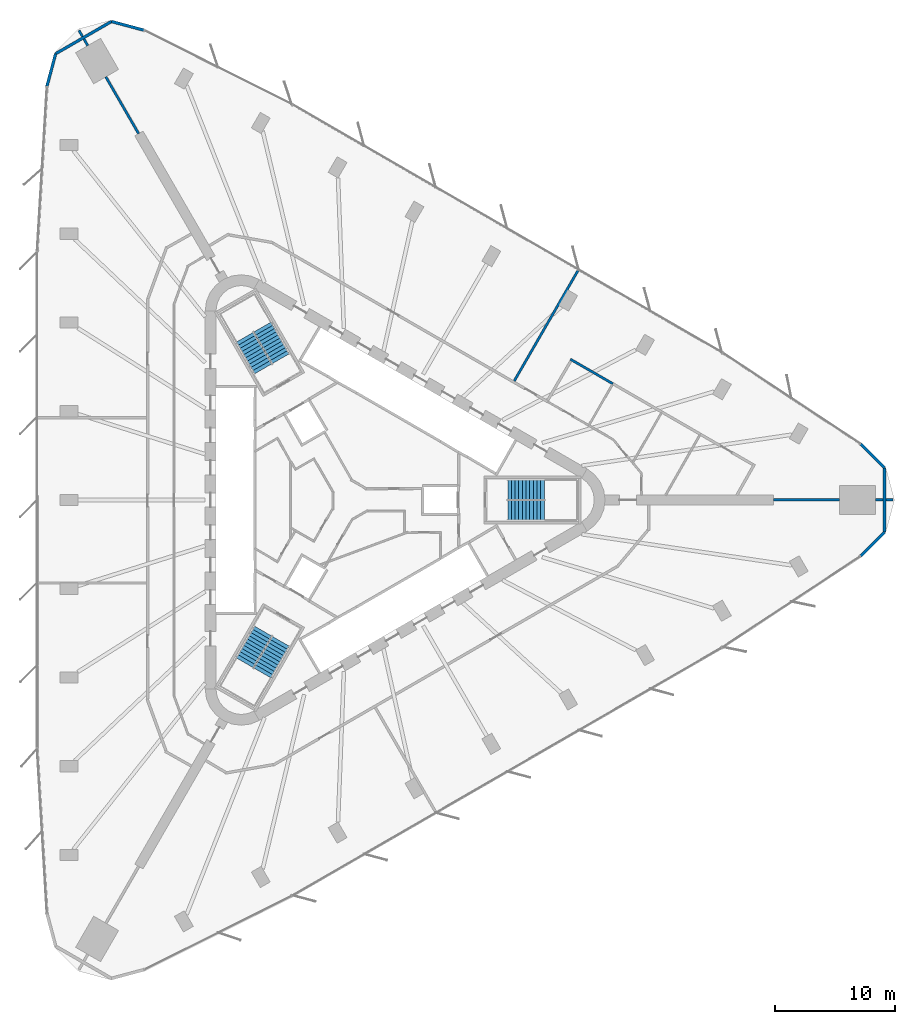
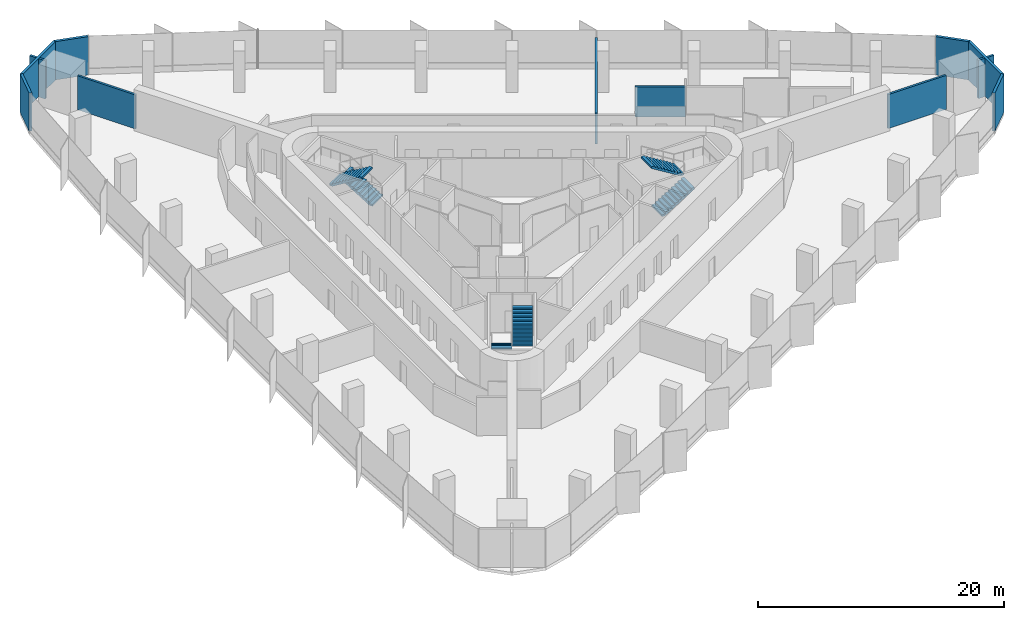
# One storey, part 13 of 14: 14 walls, 6 stair flights, 3 elements without a shape of their own.
"""IFC4 building model written with IfcOpenShell, lengths in metres."""

import ifcopenshell
import ifcopenshell.guid

model = None  # the IFC model being written
_history = None  # IfcOwnerHistory: only IFC2X3 demands one
_inside = {}  # id of a spatial element -> (the spatial element, [elements in it])
_under = {}  # id of a project, library or spatial element -> (it, [spatial elements below it])
_declared = {}  # id of a project -> (the project, [libraries it declares])
_typed = {}  # id of a type object -> (the type object, [elements of that type])
_made_of = {}  # id of a material, layer set ... -> (it, [elements and type objects made of it])


def new_model(schema):
    """Start an empty IFC model of exactly this schema.

    Asked for "IFC4X3", IfcOpenShell would pick the latest addendum, in which some entities
    have other attributes; the version numbers below select the first issue.
    IFC2X3 requires an IfcOwnerHistory on every rooted entity: one is made here for all.
    """
    global model, _history
    if schema == "IFC4X3":
        model = ifcopenshell.file(schema_version=(4, 3, 0, 0))
    else:
        model = ifcopenshell.file(schema=schema)
    _inside.clear()
    _under.clear()
    _declared.clear()
    _typed.clear()
    _made_of.clear()
    _history = None
    if model.schema == "IFC2X3":
        org = make("IfcOrganization", Name="unknown")
        user = make(
            "IfcPersonAndOrganization",
            ThePerson=make("IfcPerson", FamilyName="unknown"),
            TheOrganization=org,
        )
        app = make(
            "IfcApplication",
            ApplicationDeveloper=org,
            Version="unknown",
            ApplicationFullName="unknown",
            ApplicationIdentifier="unknown",
        )
        _history = make(
            "IfcOwnerHistory",
            OwningUser=user,
            OwningApplication=app,
            ChangeAction="ADDED",
            CreationDate=0,
        )
    return model


def make(cls, **values):
    """One entity of the class cls with the attributes given. An attribute that is None is left unset."""
    return model.create_entity(
        cls, **{name: value for name, value in values.items() if value is not None}
    )


def rooted(cls, **values):
    """An entity with a GlobalId (a new one), such as an element, a storey or a relation."""
    return make(cls, GlobalId=ifcopenshell.guid.new(), OwnerHistory=_history, **values)


def si_unit(unit_type, name, prefix=None):
    """IfcSIUnit, for example si_unit("LENGTHUNIT", "METRE", prefix="MILLI")."""
    return make("IfcSIUnit", UnitType=unit_type, Prefix=prefix, Name=name)


def assignment(units):
    """IfcUnitAssignment: the units of a project."""
    return None if units is None else make("IfcUnitAssignment", Units=units)


def point(xyz):
    """IfcCartesianPoint."""
    return None if xyz is None else make("IfcCartesianPoint", Coordinates=xyz)


def direction(xyz):
    """IfcDirection."""
    return None if xyz is None else make("IfcDirection", DirectionRatios=xyz)


def frame(location, z_axis=None, x_axis=None):
    """IfcAxis2Placement3D, a coordinate frame: its origin and axes. An axis left out is left unset."""
    return make(
        "IfcAxis2Placement3D",
        Location=point(location),
        Axis=direction(z_axis),
        RefDirection=direction(x_axis),
    )


def frame_2d(location, x_axis=None):
    """IfcAxis2Placement2D, a coordinate frame in the plane: its origin and x axis."""
    return make(
        "IfcAxis2Placement2D", Location=point(location), RefDirection=direction(x_axis)
    )


def origin():
    """The frame at (0, 0, 0) with its axes left unset."""
    return frame((0.0, 0.0, 0.0))


def place(relative_to, where):
    """IfcLocalPlacement: puts the frame where relative to a parent placement (None: the world)."""
    return make(
        "IfcLocalPlacement", PlacementRelTo=relative_to, RelativePlacement=where
    )


def context(
    kind, dimensions, precision=None, world=None, true_north=None, identifier=None
):
    """IfcGeometricRepresentationContext, for example the 3D "Model" context."""
    return make(
        "IfcGeometricRepresentationContext",
        ContextIdentifier=identifier,
        ContextType=kind,
        CoordinateSpaceDimension=dimensions,
        Precision=precision,
        WorldCoordinateSystem=world,
        TrueNorth=true_north,
    )


def subcontext(parent, identifier, kind, view, scale=None):
    """IfcGeometricRepresentationSubContext, for example "Body" below "Model"."""
    return make(
        "IfcGeometricRepresentationSubContext",
        ContextIdentifier=identifier,
        ContextType=kind,
        ParentContext=parent,
        TargetScale=scale,
        TargetView=view,
    )


def project(units=None, contexts=None):
    """IfcProject with its units and contexts."""
    return rooted(
        "IfcProject",
        Name="project",
        RepresentationContexts=contexts,
        UnitsInContext=assignment(units),
    )


def spatial(cls, under=None, at=None, **own):
    """A site, building, storey or space (cls), placed at a placement, below another one or the project."""
    s = rooted(cls, ObjectPlacement=at, **own)
    if under is not None:
        _under.setdefault(under.id(), (under, []))[1].append(s)
    return s


def polyline(points):
    """IfcPolyline through the points."""
    return make("IfcPolyline", Points=[point(p) for p in points])


def profile(cls, at=None, kind="AREA", **sizes):
    """A parametric profile (cls). Its sizes go by their IFC names, for example OverallWidth=200.0."""
    return make(cls, ProfileType=kind, Position=at, **sizes)


def rectangle(**sizes):
    """IfcRectangleProfileDef."""
    return profile("IfcRectangleProfileDef", **sizes)


def outline(outer, holes=None, kind="AREA"):
    """IfcArbitraryClosedProfileDef: a profile drawn as a closed curve; with holes, ...WithVoids."""
    if holes is None:
        return make("IfcArbitraryClosedProfileDef", ProfileType=kind, OuterCurve=outer)
    return make(
        "IfcArbitraryProfileDefWithVoids",
        ProfileType=kind,
        OuterCurve=outer,
        InnerCurves=holes,
    )


def extrude(swept, where, along, depth):
    """IfcExtrudedAreaSolid: the profile swept, set in the frame where, extruded along a direction by depth."""
    return make(
        "IfcExtrudedAreaSolid",
        SweptArea=swept,
        Position=where,
        ExtrudedDirection=direction(along),
        Depth=depth,
    )


def shape(context_of_items, identifier, shape_type, items):
    """IfcShapeRepresentation: the items that make up one representation, for example the "Body"."""
    return make(
        "IfcShapeRepresentation",
        ContextOfItems=context_of_items,
        RepresentationIdentifier=identifier,
        RepresentationType=shape_type,
        Items=items,
    )


def material(Name=None, Category=None):
    """IfcMaterial."""
    return make("IfcMaterial", Name=Name, Category=Category)


def layer(
    of_material, thickness, ventilated=None, Name=None, Category=None, Priority=None
):
    """IfcMaterialLayer: one layer of a wall or slab, of a material (None: an air gap)."""
    return make(
        "IfcMaterialLayer",
        Material=of_material,
        LayerThickness=thickness,
        IsVentilated=ventilated,
        Name=Name,
        Category=Category,
        Priority=Priority,
    )


def layer_set(layers, Name=None):
    """IfcMaterialLayerSet."""
    return make("IfcMaterialLayerSet", MaterialLayers=layers, LayerSetName=Name)


def made_of(thing, what):
    """Note that an element or type object is made of a material, layer set ...; save() writes the relation."""
    if what is not None:
        _made_of.setdefault(what.id(), (what, []))[1].append(thing)
    return thing


def type_object(cls, material=None, **own):
    """A type object (cls), such as IfcWallType, which elements share."""
    return made_of(rooted(cls, **own), material)


def element(
    cls,
    number,
    at=None,
    inside=None,
    cuts=None,
    type_object=None,
    material=None,
    context=None,
    identifier="Body",
    shape_type=None,
    held_by="IfcProductDefinitionShape",
    body=None,
    shapes=None,
    **own,
):
    """One element of the class cls, such as IfcWall. Its Tag is "e" and its number.

    at: its placement. inside: the storey or other place that contains it. cuts: it is an
    opening in that element (IfcRelVoidsElement). A single representation is given by context,
    identifier, shape_type and body (its items); several are given by shapes. held_by: the class
    of the entity that holds the representations. save() writes the other relations.
    """
    e = rooted(cls, Tag="e%d" % number, ObjectPlacement=at, **own)
    if body is not None:
        shapes = [shape(context, identifier, shape_type, body)]
    if shapes is not None:
        e.Representation = make(held_by, Representations=shapes)
    if inside is not None:
        _inside.setdefault(inside.id(), (inside, []))[1].append(e)
    if cuts is not None:
        rooted(
            "IfcRelVoidsElement", RelatingBuildingElement=cuts, RelatedOpeningElement=e
        )
    if type_object is not None:
        _typed.setdefault(type_object.id(), (type_object, []))[1].append(e)
    return made_of(e, material)


def aggregate(whole, parts):
    """IfcRelAggregates: a whole, such as a stair, and the parts it consists of."""
    return rooted("IfcRelAggregates", RelatingObject=whole, RelatedObjects=parts)


def save(model, path):
    """Write the relations noted so far, then the file.

    IfcRelAggregates (storeys below a building ...), IfcRelContainedInSpatialStructure (elements
    in a storey), IfcRelDefinesByType, IfcRelAssociatesMaterial and IfcRelDeclares: one each for
    every whole, place, type object, material and project.
    """
    for whole, parts in _under.values():
        aggregate(whole, parts)
    for where, things in _inside.values():
        rooted(
            "IfcRelContainedInSpatialStructure",
            RelatedElements=things,
            RelatingStructure=where,
        )
    for kind, things in _typed.values():
        rooted("IfcRelDefinesByType", RelatedObjects=things, RelatingType=kind)
    for what, things in _made_of.values():
        rooted("IfcRelAssociatesMaterial", RelatedObjects=things, RelatingMaterial=what)
    for by, libraries in _declared.values():
        rooted("IfcRelDeclares", RelatingContext=by, RelatedDefinitions=libraries)
    model.write(path)


model = new_model("IFC4")

# Units and contexts
model_context = context("Model", 3, precision=1e-05, world=origin(), true_north=direction((0.0, 1.0)))
body_context = subcontext(model_context, "Body", "Model", "MODEL_VIEW")
ifc_project = project(units=[si_unit("LENGTHUNIT", "METRE"), si_unit("AREAUNIT", "SQUARE_METRE"), si_unit("VOLUMEUNIT", "CUBIC_METRE"), si_unit("PLANEANGLEUNIT", "RADIAN"), si_unit("MASSUNIT", "GRAM", prefix="KILO")], contexts=[model_context])

# Site, building, storey
site_placement = place(None, origin())
site = spatial("IfcSite", under=ifc_project, at=site_placement, CompositionType="ELEMENT")
building_placement = place(site_placement, origin())
building = spatial("IfcBuilding", under=site, at=building_placement, Name="Tanit Gate Tower", CompositionType="ELEMENT")
storey_placement = place(building_placement, frame((0.0, 0.0, 49.60009765625)))
storey = spatial("IfcBuildingStorey", under=building, at=storey_placement, Name="L08", CompositionType="ELEMENT", Elevation=49.60009765625)

# Walls
ifc_material_1 = material(Name="Concrete C30/37 with bronze anodised aluminium cladding", Category="concrete")
ifc_layer_1 = layer(ifc_material_1, 0.239990234375)
ifc_layer_set_1 = layer_set([ifc_layer_1], Name="Facade wall bronze clad 240")
wall_type_1 = type_object("IfcWallType", Name="Facade wall bronze clad 240", PredefinedType="SOLIDWALL", material=ifc_layer_set_1)
wall_1_placement = place(storey_placement, frame((-17.202880859375, 39.1279296875, 0.0), z_axis=(0.0, 0.0, 1.0), x_axis=(-0.965923146675, 0.25882904535, 0.0)))
element("IfcWall", 1, at=wall_1_placement, inside=storey, type_object=wall_type_1, Name="Bronze-clad facade wall L08 NW.arc1", PredefinedType="SOLIDWALL", context=body_context, shape_type="SweptSolid", body=[
    extrude(rectangle(XDim=2.800537109375, YDim=0.239990234375, at=frame_2d((1.400390625, 0.0))), origin(), (0.0, 0.0, 1.0), 3.7998046875),
])
wall_2_placement = place(storey_placement, frame((-19.907958984375, 39.852783203125, 0.0), z_axis=(0.0, 0.0, 1.0), x_axis=(-0.866010734295, -0.500025407441, 0.0)))
element("IfcWall", 2, at=wall_2_placement, inside=storey, type_object=wall_type_1, Name="Bronze-clad facade wall L08 NW.arc2", PredefinedType="SOLIDWALL", context=body_context, shape_type="SweptSolid", body=[
    extrude(rectangle(XDim=5.371337890625, YDim=0.239990234375, at=frame_2d((2.685546875, 0.0))), origin(), (0.0, 0.0, 1.0), 3.7998046875),
])
wall_3_placement = place(storey_placement, frame((-24.5595703125, 37.1669921875, 0.0), z_axis=(0.0, 0.0, 1.0), x_axis=(-0.258850842196, -0.965917305723, 0.0)))
element("IfcWall", 3, at=wall_3_placement, inside=storey, type_object=wall_type_1, Name="Bronze-clad facade wall L08 NW.arc3", PredefinedType="SOLIDWALL", context=body_context, shape_type="SweptSolid", body=[
    extrude(rectangle(XDim=2.80029296875, YDim=0.239990234375, at=frame_2d((1.400146484375, 0.0))), origin(), (0.0, 0.0, 1.0), 3.7998046875),
])
wall_4_placement = place(storey_placement, frame((42.4873046875, -4.665771484375, 0.0), z_axis=(0.0, 0.0, 1.0), x_axis=(0.707106781187, 0.707106781187, 0.0)))
element("IfcWall", 4, at=wall_4_placement, inside=storey, type_object=wall_type_1, Name="Bronze-clad facade wall L08 E.arc1", PredefinedType="SOLIDWALL", context=body_context, shape_type="SweptSolid", body=[
    extrude(rectangle(XDim=2.800537109375, YDim=0.239990234375, at=frame_2d((1.400390625, 0.0))), origin(), (0.0, 0.0, 1.0), 3.7998046875),
])
wall_5_placement = place(storey_placement, frame((44.467529296875, -2.685546875, 0.0), z_axis=(0.0, 0.0, 1.0), x_axis=(0.0, 1.0, 0.0)))
element("IfcWall", 5, at=wall_5_placement, inside=storey, type_object=wall_type_1, Name="Bronze-clad facade wall L08 E.arc2", PredefinedType="SOLIDWALL", context=body_context, shape_type="SweptSolid", body=[
    extrude(rectangle(XDim=5.37109375, YDim=0.239990234375, at=frame_2d((2.685546875, 0.0))), origin(), (0.0, 0.0, 1.0), 3.7998046875),
])
wall_6_placement = place(storey_placement, frame((44.467529296875, 2.685546875, 0.0), z_axis=(0.0, 0.0, 1.0), x_axis=(-0.707106781187, 0.707106781187, 0.0)))
element("IfcWall", 6, at=wall_6_placement, inside=storey, type_object=wall_type_1, Name="Bronze-clad facade wall L08 E.arc3", PredefinedType="SOLIDWALL", context=body_context, shape_type="SweptSolid", body=[
    extrude(rectangle(XDim=2.800537109375, YDim=0.239990234375, at=frame_2d((1.400390625, 0.0))), origin(), (0.0, 0.0, 1.0), 3.7998046875),
])
ifc_material_2 = material(Name="Fire-rated gypsum board partition")
ifc_layer_2 = layer(ifc_material_2, 0.199951171875)
ifc_layer_set_2 = layer_set([ifc_layer_2], Name="INT-WALL-COMPARTMENT")
wall_type_2 = type_object("IfcWallType", Name="INT-WALL-COMPARTMENT", PredefinedType="PARTITIONING", material=ifc_layer_set_2)
wall_7_placement = place(storey_placement, frame((-22.615478515625, 39.111083984375, 0.0), z_axis=(0.0, 0.0, 1.0), x_axis=(0.500222587251, -0.865896854829, 0.0)))
element("IfcWall", 7, at=wall_7_placement, inside=storey, type_object=wall_type_2, Name="Wall Compartment W119", PredefinedType="PARTITIONING", context=body_context, shape_type="SweptSolid", body=[
    extrude(rectangle(XDim=0.591552734375, YDim=0.199951171875, at=frame_2d((0.2958984375, 0.0))), origin(), (0.0, 0.0, 1.0), 3.7998046875),
])
wall_8_placement = place(storey_placement, frame((-22.19970703125, 38.39111328125, 0.0), z_axis=(0.0, 0.0, 1.0), x_axis=(0.499977104415, -0.866038622153, 0.0)))
element("IfcWall", 8, at=wall_8_placement, inside=storey, type_object=wall_type_2, Name="Wall Compartment W119x1", PredefinedType="PARTITIONING", context=body_context, shape_type="SweptSolid", body=[
    extrude(rectangle(XDim=0.63623046875, YDim=0.199951171875, at=frame_2d((0.318115234375, 0.0))), origin(), (0.0, 0.0, 1.0), 3.7998046875),
])
wall_9_placement = place(storey_placement, frame((-20.381591796875, 35.241943359375, 0.0), z_axis=(0.0, 0.0, 1.0), x_axis=(0.499984217882, -0.866034515403, 0.0)))
element("IfcWall", 9, at=wall_9_placement, inside=storey, type_object=wall_type_2, Name="Wall Compartment W120", PredefinedType="PARTITIONING", context=body_context, shape_type="SweptSolid", body=[
    extrude(rectangle(XDim=5.463134765625, YDim=0.199951171875, at=frame_2d((2.7314453125, 0.0))), origin(), (0.0, 0.0, 1.0), 3.369873046875),
])
wall_10_placement = place(storey_placement, frame((13.634521484375, 9.91064453125, 0.0), z_axis=(0.0, 0.0, 1.0), x_axis=(0.499942170756, 0.86605878894, 0.0)))
element("IfcWall", 10, at=wall_10_placement, inside=storey, type_object=wall_type_2, Name="Wall Compartment W121", PredefinedType="PARTITIONING", context=body_context, shape_type="SweptSolid", body=[
    extrude(rectangle(XDim=10.708740234375, YDim=0.199951171875, at=frame_2d((5.3544921875, 0.0))), origin(), (0.0, 0.0, 1.0), 3.079833984375),
])
wall_11_placement = place(storey_placement, frame((45.178955078125, 0.030029296875, 0.0), z_axis=(0.0, 0.0, 1.0), x_axis=(-1.0, 0.0, 0.0)))
element("IfcWall", 11, at=wall_11_placement, inside=storey, type_object=wall_type_2, Name="Wall Compartment W123", PredefinedType="PARTITIONING", context=body_context, shape_type="SweptSolid", body=[
    extrude(rectangle(XDim=0.591552734375, YDim=0.199951171875, at=frame_2d((0.2958984375, 0.0))), origin(), (0.0, 0.0, 1.0), 3.7998046875),
])
wall_12_placement = place(storey_placement, frame((44.347412109375, 0.030029296875, 0.0), z_axis=(0.0, 0.0, 1.0), x_axis=(-1.0, 0.0, 0.0)))
element("IfcWall", 12, at=wall_12_placement, inside=storey, type_object=wall_type_2, Name="Wall Compartment W123x1", PredefinedType="PARTITIONING", context=body_context, shape_type="SweptSolid", body=[
    extrude(rectangle(XDim=0.63623046875, YDim=0.199951171875, at=frame_2d((0.318115234375, 0.0))), origin(), (0.0, 0.0, 1.0), 3.7998046875),
])
wall_13_placement = place(storey_placement, frame((40.711181640625, 0.030029296875, 0.0), z_axis=(0.0, 0.0, 1.0), x_axis=(-1.0, 0.0, 0.0)))
element("IfcWall", 13, at=wall_13_placement, inside=storey, type_object=wall_type_2, Name="Wall Compartment W122", PredefinedType="PARTITIONING", context=body_context, shape_type="SweptSolid", body=[
    extrude(rectangle(XDim=5.463134765625, YDim=0.199951171875, at=frame_2d((2.7314453125, 0.0))), origin(), (0.0, 0.0, 1.0), 3.369873046875),
])
wall_14_placement = place(storey_placement, frame((18.315185546875, 11.722900390625, 0.0), z_axis=(0.0, 0.0, 1.0), x_axis=(0.866048124097, -0.4999606452, 0.0)))
element("IfcWall", 14, at=wall_14_placement, inside=storey, type_object=wall_type_2, Name="Wall Compartment W124", PredefinedType="PARTITIONING", context=body_context, shape_type="SweptSolid", body=[
    extrude(rectangle(XDim=4.081298828125, YDim=0.199951171875, at=frame_2d((2.04052734375, 0.0))), origin(), (0.0, 0.0, 1.0), 2.97998046875),
])

# Stair, stair flights
ifc_material_3 = material(Name="Concrete C40/50", Category="concrete")
stair_type = type_object("IfcStairType", Name="INT-STAIR-EXIT", PredefinedType="HALF_TURN_STAIR", material=ifc_material_3)
stair_1_placement = place(storey_placement, origin())
stair_1 = element("IfcStair", 15, at=stair_1_placement, inside=storey, type_object=stair_type, Name="L08 STAIR S1", PredefinedType="HALF_TURN_STAIR")
ifc_material_4 = material(Name="Concrete C40/50", Category="concrete")
stair_flight_type = type_object("IfcStairFlightType", Name="INT-STAIR-FLIGHT", PredefinedType="STRAIGHT", material=ifc_material_4)
stair_flight_1_placement = place(storey_placement, frame((13.094970703125, -0.8525390625, 0.0), z_axis=(0.0, 0.0, 1.0), x_axis=(1.0, 0.0, 0.0)))
stair_flight_1 = element("IfcStairFlight", 16, at=stair_flight_1_placement, type_object=stair_flight_type, Name="S1 flight 1", NumberOfRisers=11, NumberOfTreads=10, PredefinedType="STRAIGHT", RiserHeight=0.186363636, TreadLength=0.3051, context=body_context, shape_type="SweptSolid", body=[
    extrude(outline(polyline([(0.0, 0.0), (0.0, 0.186279296875), (0.30517578125, 0.186279296875), (0.30517578125, 0.372802734375), (0.610107421875, 0.372802734375), (0.610107421875, 0.55908203125), (0.915283203125, 0.55908203125), (0.915283203125, 0.745361328125), (1.220458984375, 0.745361328125), (1.220458984375, 0.931884765625), (1.525390625, 0.931884765625), (1.525390625, 1.1181640625), (1.83056640625, 1.1181640625), (1.83056640625, 1.304443359375), (2.1357421875, 1.304443359375), (2.1357421875, 1.490966796875), (2.44091796875, 1.490966796875), (2.44091796875, 1.67724609375), (2.745849609375, 1.67724609375), (2.745849609375, 1.863525390625), (3.051025390625, 1.863525390625), (3.051025390625, 2.050048828125), (3.051025390625, 1.68798828125), (0.28759765625, 0.0), (0.0, 0.0)])), frame((0.0, 0.84765625, 0.0), z_axis=(0.0, -1.0, 0.0), x_axis=(1.0, 0.0, 0.0)), (0.0, 0.0, 1.0), 1.695068359375),
])
stair_flight_2_placement = place(storey_placement, frame((16.14599609375, 0.8525390625, 2.0498046875), z_axis=(0.0, 0.0, 1.0), x_axis=(-1.0, 0.0, 0.0)))
stair_flight_2 = element("IfcStairFlight", 17, at=stair_flight_2_placement, type_object=stair_flight_type, Name="S1 flight 2", NumberOfRisers=11, NumberOfTreads=10, PredefinedType="STRAIGHT", RiserHeight=0.186363636, TreadLength=0.3051, context=body_context, shape_type="SweptSolid", body=[
    extrude(outline(polyline([(0.0, 0.0), (0.0, 0.186279296875), (0.30517578125, 0.186279296875), (0.30517578125, 0.372802734375), (0.610107421875, 0.372802734375), (0.610107421875, 0.55908203125), (0.915283203125, 0.55908203125), (0.915283203125, 0.745361328125), (1.220458984375, 0.745361328125), (1.220458984375, 0.931884765625), (1.525390625, 0.931884765625), (1.525390625, 1.1181640625), (1.83056640625, 1.1181640625), (1.83056640625, 1.304443359375), (2.1357421875, 1.304443359375), (2.1357421875, 1.490966796875), (2.44091796875, 1.490966796875), (2.44091796875, 1.67724609375), (2.745849609375, 1.67724609375), (2.745849609375, 1.863525390625), (3.051025390625, 1.863525390625), (3.051025390625, 2.050048828125), (3.051025390625, 1.68798828125), (0.28759765625, 0.0), (0.0, 0.0)])), frame((0.0, 0.84765625, 0.0), z_axis=(0.0, -1.0, 0.0), x_axis=(1.0, 0.0, 0.0)), (0.0, 0.0, 1.0), 1.695068359375),
])
aggregate(stair_1, [stair_flight_1, stair_flight_2])

stair_2_placement = place(storey_placement, origin())
stair_2 = element("IfcStair", 18, at=stair_2_placement, inside=storey, type_object=stair_type, Name="L08 STAIR S2", PredefinedType="HALF_TURN_STAIR")
stair_flight_3_placement = place(storey_placement, frame((-5.808349609375, 11.766357421875, 0.0), z_axis=(0.0, 0.0, 1.0), x_axis=(-0.5, 0.866025403784, 0.0)))
stair_flight_3 = element("IfcStairFlight", 19, at=stair_flight_3_placement, type_object=stair_flight_type, Name="S2 flight 1", NumberOfRisers=11, NumberOfTreads=10, PredefinedType="STRAIGHT", RiserHeight=0.186363636, TreadLength=0.30492, context=body_context, shape_type="SweptSolid", body=[
    extrude(outline(polyline([(0.0, 0.0), (0.0, 0.186279296875), (0.304931640625, 0.186279296875), (0.304931640625, 0.372802734375), (0.60986328125, 0.372802734375), (0.60986328125, 0.55908203125), (0.914794921875, 0.55908203125), (0.914794921875, 0.745361328125), (1.2197265625, 0.745361328125), (1.2197265625, 0.931884765625), (1.524658203125, 0.931884765625), (1.524658203125, 1.1181640625), (1.82958984375, 1.1181640625), (1.82958984375, 1.304443359375), (2.134521484375, 1.304443359375), (2.134521484375, 1.490966796875), (2.439453125, 1.490966796875), (2.439453125, 1.67724609375), (2.744384765625, 1.67724609375), (2.744384765625, 1.863525390625), (3.04931640625, 1.863525390625), (3.04931640625, 2.050048828125), (3.04931640625, 1.68798828125), (0.287353515625, 0.0), (0.0, 0.0)])), frame((0.0, 0.84716796875, 0.0), z_axis=(0.0, -1.0, 0.0), x_axis=(1.0, 0.0, 0.0)), (0.0, 0.0, 1.0), 1.694091796875),
])
stair_flight_4_placement = place(storey_placement, frame((-8.810302734375, 13.553955078125, 2.0498046875), z_axis=(0.0, 0.0, 1.0), x_axis=(0.5, -0.866025403784, 0.0)))
stair_flight_4 = element("IfcStairFlight", 20, at=stair_flight_4_placement, type_object=stair_flight_type, Name="S2 flight 2", NumberOfRisers=11, NumberOfTreads=10, PredefinedType="STRAIGHT", RiserHeight=0.186363636, TreadLength=0.30492, context=body_context, shape_type="SweptSolid", body=[
    extrude(outline(polyline([(0.0, 0.0), (0.0, 0.186279296875), (0.304931640625, 0.186279296875), (0.304931640625, 0.372802734375), (0.60986328125, 0.372802734375), (0.60986328125, 0.55908203125), (0.914794921875, 0.55908203125), (0.914794921875, 0.745361328125), (1.2197265625, 0.745361328125), (1.2197265625, 0.931884765625), (1.524658203125, 0.931884765625), (1.524658203125, 1.1181640625), (1.82958984375, 1.1181640625), (1.82958984375, 1.304443359375), (2.134521484375, 1.304443359375), (2.134521484375, 1.490966796875), (2.439453125, 1.490966796875), (2.439453125, 1.67724609375), (2.744384765625, 1.67724609375), (2.744384765625, 1.863525390625), (3.04931640625, 1.863525390625), (3.04931640625, 2.050048828125), (3.04931640625, 1.68798828125), (0.287353515625, 0.0), (0.0, 0.0)])), frame((0.0, 0.84716796875, 0.0), z_axis=(0.0, -1.0, 0.0), x_axis=(1.0, 0.0, 0.0)), (0.0, 0.0, 1.0), 1.694091796875),
])
aggregate(stair_2, [stair_flight_3, stair_flight_4])

stair_3_placement = place(storey_placement, origin())
stair_3 = element("IfcStair", 21, at=stair_3_placement, inside=storey, type_object=stair_type, Name="L08 STAIR S3", PredefinedType="HALF_TURN_STAIR")
stair_flight_5_placement = place(storey_placement, frame((-7.285888671875, -10.914306640625, 0.0), z_axis=(0.0, 0.0, 1.0), x_axis=(-0.5, -0.866025403784, 0.0)))
stair_flight_5 = element("IfcStairFlight", 22, at=stair_flight_5_placement, type_object=stair_flight_type, Name="S3 flight 1", NumberOfRisers=11, NumberOfTreads=10, PredefinedType="STRAIGHT", RiserHeight=0.186363636, TreadLength=0.3051, context=body_context, shape_type="SweptSolid", body=[
    extrude(outline(polyline([(0.0, 0.0), (0.0, 0.186279296875), (0.30517578125, 0.186279296875), (0.30517578125, 0.372802734375), (0.610107421875, 0.372802734375), (0.610107421875, 0.55908203125), (0.915283203125, 0.55908203125), (0.915283203125, 0.745361328125), (1.220458984375, 0.745361328125), (1.220458984375, 0.931884765625), (1.525390625, 0.931884765625), (1.525390625, 1.1181640625), (1.83056640625, 1.1181640625), (1.83056640625, 1.304443359375), (2.1357421875, 1.304443359375), (2.1357421875, 1.490966796875), (2.44091796875, 1.490966796875), (2.44091796875, 1.67724609375), (2.745849609375, 1.67724609375), (2.745849609375, 1.863525390625), (3.051025390625, 1.863525390625), (3.051025390625, 2.050048828125), (3.051025390625, 1.68798828125), (0.28759765625, 0.0), (0.0, 0.0)])), frame((0.0, 0.84765625, 0.0), z_axis=(0.0, -1.0, 0.0), x_axis=(1.0, 0.0, 0.0)), (0.0, 0.0, 1.0), 1.695068359375),
])
stair_flight_6_placement = place(storey_placement, frame((-7.334716796875, -14.4091796875, 2.0498046875), z_axis=(0.0, 0.0, 1.0), x_axis=(0.5, 0.866025403784, 0.0)))
stair_flight_6 = element("IfcStairFlight", 23, at=stair_flight_6_placement, type_object=stair_flight_type, Name="S3 flight 2", NumberOfRisers=11, NumberOfTreads=10, PredefinedType="STRAIGHT", RiserHeight=0.186363636, TreadLength=0.3051, context=body_context, shape_type="SweptSolid", body=[
    extrude(outline(polyline([(0.0, 0.0), (0.0, 0.186279296875), (0.30517578125, 0.186279296875), (0.30517578125, 0.372802734375), (0.610107421875, 0.372802734375), (0.610107421875, 0.55908203125), (0.915283203125, 0.55908203125), (0.915283203125, 0.745361328125), (1.220458984375, 0.745361328125), (1.220458984375, 0.931884765625), (1.525390625, 0.931884765625), (1.525390625, 1.1181640625), (1.83056640625, 1.1181640625), (1.83056640625, 1.304443359375), (2.1357421875, 1.304443359375), (2.1357421875, 1.490966796875), (2.44091796875, 1.490966796875), (2.44091796875, 1.67724609375), (2.745849609375, 1.67724609375), (2.745849609375, 1.863525390625), (3.051025390625, 1.863525390625), (3.051025390625, 2.050048828125), (3.051025390625, 1.68798828125), (0.28759765625, 0.0), (0.0, 0.0)])), frame((0.0, 0.84765625, 0.0), z_axis=(0.0, -1.0, 0.0), x_axis=(1.0, 0.0, 0.0)), (0.0, 0.0, 1.0), 1.695068359375),
])
aggregate(stair_3, [stair_flight_5, stair_flight_6])

save(model, "model.ifc")
